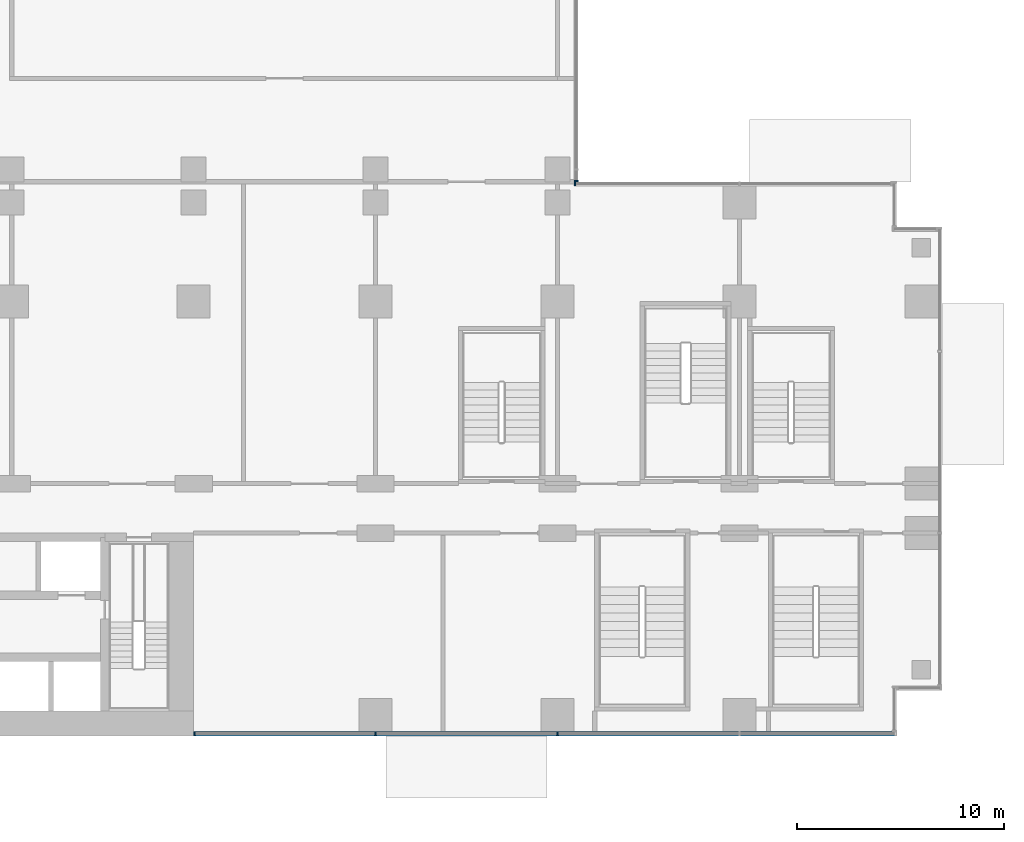
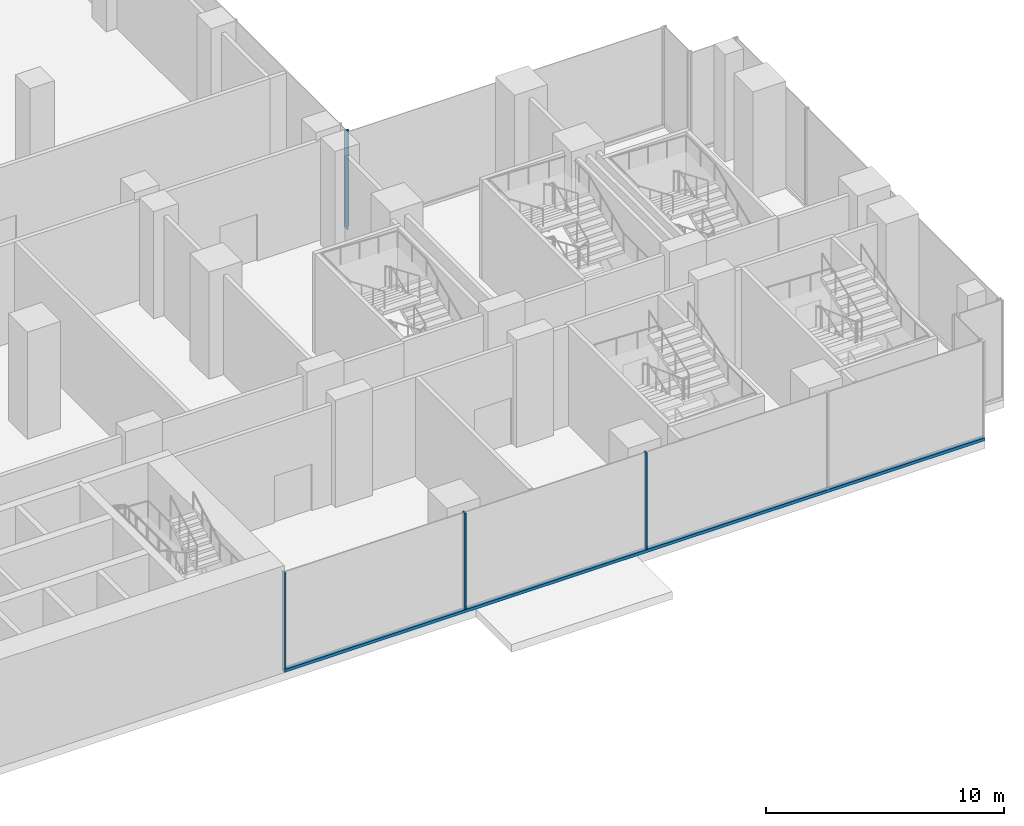
# One storey, part 3 of 30: 6 members, 3 elements without a shape of their own.
"""IFC4 building model written with IfcOpenShell, lengths in metres."""

from ifc_helpers import new_model, si_unit, direction, frame, origin, origin_2d, place, context, subcontext, project, spatial, rectangle, extrude, source, transform, mapped, material, material_profile, profile_set, type_object, element, aggregate, save


model = new_model("IFC4")

# Units and contexts
model_context = context("Model", 3, precision=1e-05, world=origin(), true_north=direction((0.0, 1.0)))
body_context = subcontext(model_context, "Body", "Model", "MODEL_VIEW")
ifc_project = project(units=[si_unit("LENGTHUNIT", "METRE"), si_unit("AREAUNIT", "SQUARE_METRE"), si_unit("VOLUMEUNIT", "CUBIC_METRE"), si_unit("PLANEANGLEUNIT", "RADIAN"), si_unit("MASSUNIT", "GRAM", prefix="KILO")], contexts=[model_context])

# Site, building, storey
site_placement = place(None, origin())
site = spatial("IfcSite", under=ifc_project, at=site_placement, CompositionType="ELEMENT")
building_placement = place(site_placement, origin())
building = spatial("IfcBuilding", under=site, at=building_placement, Name="Kemantara Hotel Tower", CompositionType="ELEMENT")
storey_placement = place(building_placement, frame((0.0, 0.0, 7.5)))
storey = spatial("IfcBuildingStorey", under=building, at=storey_placement, Name="L01", CompositionType="ELEMENT", Elevation=7.5)

# Curtain wall, members
ifc_material_1 = material(Name="Laminated tinted insulated glass 44 mm", Category="glass")
curtain_wall_type = type_object("IfcCurtainWallType", Name="PODIUM GLASS CURTAIN WALL", PredefinedType="USERDEFINED", material=ifc_material_1)
curtain_wall_1_placement = place(storey_placement, origin())
curtain_wall_1 = element("IfcCurtainWall", 1, at=curtain_wall_1_placement, inside=storey, type_object=curtain_wall_type, Name="CW1 L01 POD-R01-2", ObjectType="PODIUM GLASS CURTAIN WALL", PredefinedType="USERDEFINED")
ifc_material_2 = material(Name="Aluminium 6063-T6 bronze anodised", Category="aluminium")
ifc_material_profile_1 = material_profile(ifc_material_2, rectangle(XDim=0.199951171875, YDim=0.14990234375, at=origin_2d()), Name="PODIUM GLASS CURTAIN WALL TRANSOM")
ifc_profile_set_1 = profile_set([ifc_material_profile_1], Name="Aluminium 6063-T6 bronze anodised")
member_type_1 = type_object("IfcMemberType", Name="PODIUM GLASS CURTAIN WALL TRANSOM", PredefinedType="USERDEFINED", material=ifc_profile_set_1)
member_1_placement = place(storey_placement, frame((45.0, 0.10009765625, 0.074951171875), z_axis=(1.0, 0.0, 0.0), x_axis=(0.0, 1.0, 0.0)))
member_1 = element("IfcMember", 2, at=member_1_placement, type_object=member_type_1, Name="CW1 sill transom POD-R01-2", ObjectType="TRANSOM", PredefinedType="USERDEFINED", context=body_context, shape_type="SweptSolid", body=[
    extrude(rectangle(XDim=0.199951171875, YDim=0.14990234375, at=origin_2d()), origin(), (0.0, 0.0, 1.0), 34.0),
])
ifc_material_profile_2 = material_profile(ifc_material_2, rectangle(XDim=0.199951171875, YDim=0.074951171875, at=origin_2d()), Name="PODIUM GLASS CURTAIN WALL MULLION")
ifc_profile_set_2 = profile_set([ifc_material_profile_2], Name="Aluminium 6063-T6 bronze anodised")
member_type_2 = type_object("IfcMemberType", Name="PODIUM GLASS CURTAIN WALL MULLION", PredefinedType="MULLION", material=ifc_profile_set_2)
shared_shape = source(origin(), body_context, "Body", "SweptSolid", [
    extrude(rectangle(XDim=0.199951171875, YDim=0.074951171875, at=origin_2d()), origin(), (0.0, 0.0, 1.0), 4.9501953125),
])
member_2_placement = place(storey_placement, frame((45.03759765625, 0.10009765625, 0.14990234375), z_axis=(0.0, 0.0, 1.0), x_axis=(0.0, 1.0, 0.0)))
member_2 = element("IfcMember", 3, at=member_2_placement, type_object=member_type_2, Name="CW1 mullion POD-R01-2.1", PredefinedType="MULLION", context=body_context, shape_type="MappedRepresentation", body=[
    mapped(shared_shape, transform((0.0, 0.0, 0.0))),
])
member_3_placement = place(storey_placement, frame((53.800048828125, 0.10009765625, 0.14990234375), z_axis=(0.0, 0.0, 1.0), x_axis=(0.0, 1.0, 0.0)))
member_3 = element("IfcMember", 4, at=member_3_placement, type_object=member_type_2, Name="CW1 mullion POD-R01-2.2", PredefinedType="MULLION", context=body_context, shape_type="MappedRepresentation", body=[
    mapped(shared_shape, transform((0.0, 0.0, 0.0))),
])
member_4_placement = place(storey_placement, frame((62.60009765625, 0.10009765625, 0.14990234375), z_axis=(0.0, 0.0, 1.0), x_axis=(0.0, 1.0, 0.0)))
member_4 = element("IfcMember", 5, at=member_4_placement, type_object=member_type_2, Name="CW1 mullion POD-R01-2.3", PredefinedType="MULLION", context=body_context, shape_type="MappedRepresentation", body=[
    mapped(shared_shape, transform((0.0, 0.0, 0.0))),
])
aggregate(curtain_wall_1, [member_1, member_2, member_3, member_4])

# Curtain wall, member
curtain_wall_2_placement = place(storey_placement, origin())
curtain_wall_2 = element("IfcCurtainWall", 6, at=curtain_wall_2_placement, inside=storey, type_object=curtain_wall_type, Name="CW1 L01 POD-R07-1", ObjectType="PODIUM GLASS CURTAIN WALL", PredefinedType="USERDEFINED")
member_5_placement = place(storey_placement, frame((63.4375, 26.699951171875, 0.14990234375), z_axis=(0.0, 0.0, 1.0), x_axis=(0.0, -1.0, 0.0)))
member_5 = element("IfcMember", 7, at=member_5_placement, type_object=member_type_2, Name="CW1 mullion POD-R07-1.3", PredefinedType="MULLION", context=body_context, shape_type="MappedRepresentation", body=[
    mapped(shared_shape, transform((0.0, 0.0, 0.0))),
])
aggregate(curtain_wall_2, [member_5])

curtain_wall_3_placement = place(storey_placement, origin())
curtain_wall_3 = element("IfcCurtainWall", 8, at=curtain_wall_3_placement, inside=storey, type_object=curtain_wall_type, Name="CW1 L01 POD-R08-1", ObjectType="PODIUM GLASS CURTAIN WALL", PredefinedType="USERDEFINED")
member_6_placement = place(storey_placement, frame((63.5, 26.83740234375, 0.14990234375), z_axis=(0.0, 0.0, 1.0), x_axis=(-1.0, 0.0, 0.0)))
member_6 = element("IfcMember", 9, at=member_6_placement, type_object=member_type_2, Name="CW1 mullion POD-R08-1.1", PredefinedType="MULLION", context=body_context, shape_type="MappedRepresentation", body=[
    mapped(shared_shape, transform((0.0, 0.0, 0.0))),
])
aggregate(curtain_wall_3, [member_6])

save(model, "model.ifc")
